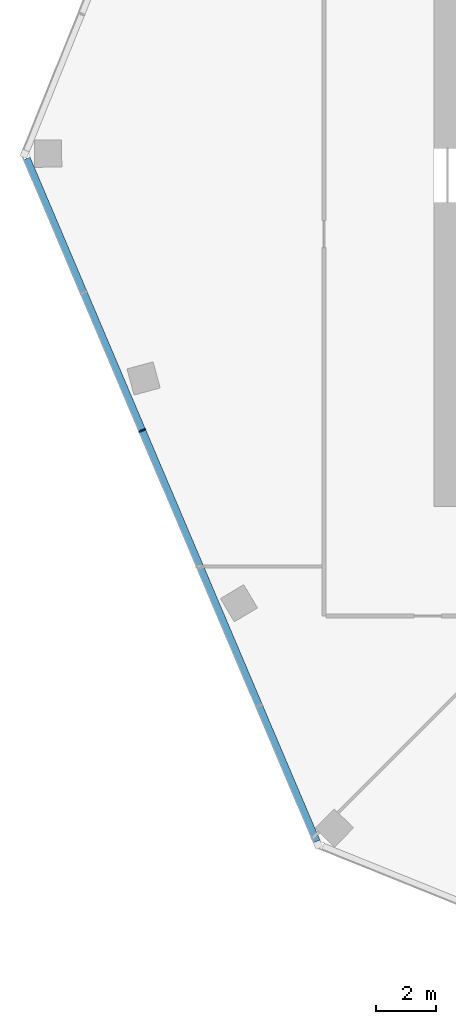
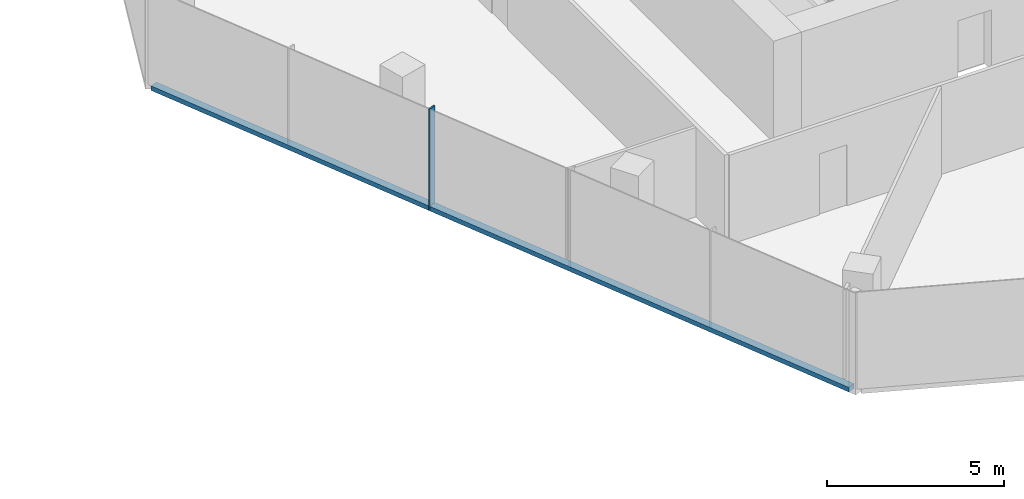
# One storey, part 3 of 15: 2 members, 1 element without a shape of its own.
"""IFC4 building model written with IfcOpenShell, lengths in metres."""

from ifc_helpers import new_model, si_unit, direction, frame, origin, origin_2d, place, context, subcontext, project, spatial, rectangle, extrude, material, material_profile, profile_set, type_object, element, aggregate, save


model = new_model("IFC4")

# Units and contexts
model_context = context("Model", 3, precision=1e-05, world=origin(), true_north=direction((0.0, 1.0)))
body_context = subcontext(model_context, "Body", "Model", "MODEL_VIEW")
ifc_project = project(units=[si_unit("LENGTHUNIT", "METRE"), si_unit("AREAUNIT", "SQUARE_METRE"), si_unit("VOLUMEUNIT", "CUBIC_METRE"), si_unit("PLANEANGLEUNIT", "RADIAN"), si_unit("MASSUNIT", "GRAM", prefix="KILO")], contexts=[model_context])

# Site, building, storey
site_placement = place(None, origin())
site = spatial("IfcSite", under=ifc_project, at=site_placement, CompositionType="ELEMENT")
building_placement = place(site_placement, origin())
building = spatial("IfcBuilding", under=site, at=building_placement, Name="Orlundy Tower", CompositionType="ELEMENT")
storey_placement = place(building_placement, frame((0.0, 0.0, 278.89990234375)))
storey = spatial("IfcBuildingStorey", under=building, at=storey_placement, Name="L74", CompositionType="ELEMENT", Elevation=278.89990234375)

# Curtain wall, members
ifc_material_1 = material(Name="Aluminium bronze anodised", Category="aluminium")
curtain_wall_type = type_object("IfcCurtainWallType", Name="CW6 wall", PredefinedType="NOTDEFINED", material=ifc_material_1)
curtain_wall_placement = place(storey_placement, origin())
curtain_wall = element("IfcCurtainWall", 1, at=curtain_wall_placement, inside=storey, type_object=curtain_wall_type, Name="CW6 run 014", PredefinedType="NOTDEFINED")
ifc_material_2 = material(Name="Aluminium bronze anodised", Category="aluminium")
ifc_material_profile_1 = material_profile(ifc_material_2, rectangle(XDim=0.239990234375, YDim=0.050048828125, at=origin_2d()), Name="CW6 mullion 50x240")
ifc_profile_set_1 = profile_set([ifc_material_profile_1], Name="Aluminium bronze anodised")
member_type_1 = type_object("IfcMemberType", Name="CW6 mullion 50x240", PredefinedType="MULLION", material=ifc_profile_set_1)
member_1_placement = place(storey_placement, frame((-28.697021484375, -9.481201171875, -0.39990234375), z_axis=(0.0, 0.0, 1.0), x_axis=(-0.920506804854, -0.390726531244, 0.0)))
member_1 = element("IfcMember", 2, at=member_1_placement, type_object=member_type_1, Name="CW6 mullion 25", PredefinedType="MULLION", context=body_context, shape_type="SweptSolid", body=[
    extrude(rectangle(XDim=0.239990234375, YDim=0.050048828125, at=origin_2d()), origin(), (0.0, 0.0, 1.0), 3.5),
])
ifc_material_3 = material(Name="Aluminium bronze anodised", Category="aluminium")
ifc_material_profile_2 = material_profile(ifc_material_3, rectangle(XDim=0.239990234375, YDim=0.159912109375, at=origin_2d()), Name="CW6 transom 240x160")
ifc_profile_set_2 = profile_set([ifc_material_profile_2], Name="Aluminium bronze anodised")
member_type_2 = type_object("IfcMemberType", Name="CW6 transom 240x160", PredefinedType="USERDEFINED", material=ifc_profile_set_2)
member_2_placement = place(storey_placement, frame((-22.89794921875, -23.14306640625, -0.31982421875), z_axis=(-0.390731856881, 0.920504544268, 0.0), x_axis=(-0.920504544268, -0.390731856881, 0.0)))
member_2 = element("IfcMember", 3, at=member_2_placement, type_object=member_type_2, Name="CW6 transom", ObjectType="TRANSOM", PredefinedType="USERDEFINED", context=body_context, shape_type="SweptSolid", body=[
    extrude(rectangle(XDim=0.239990234375, YDim=0.159912109375, at=origin_2d()), origin(), (0.0, 0.0, 1.0), 24.663330078125),
])
aggregate(curtain_wall, [member_1, member_2])

save(model, "model.ifc")
